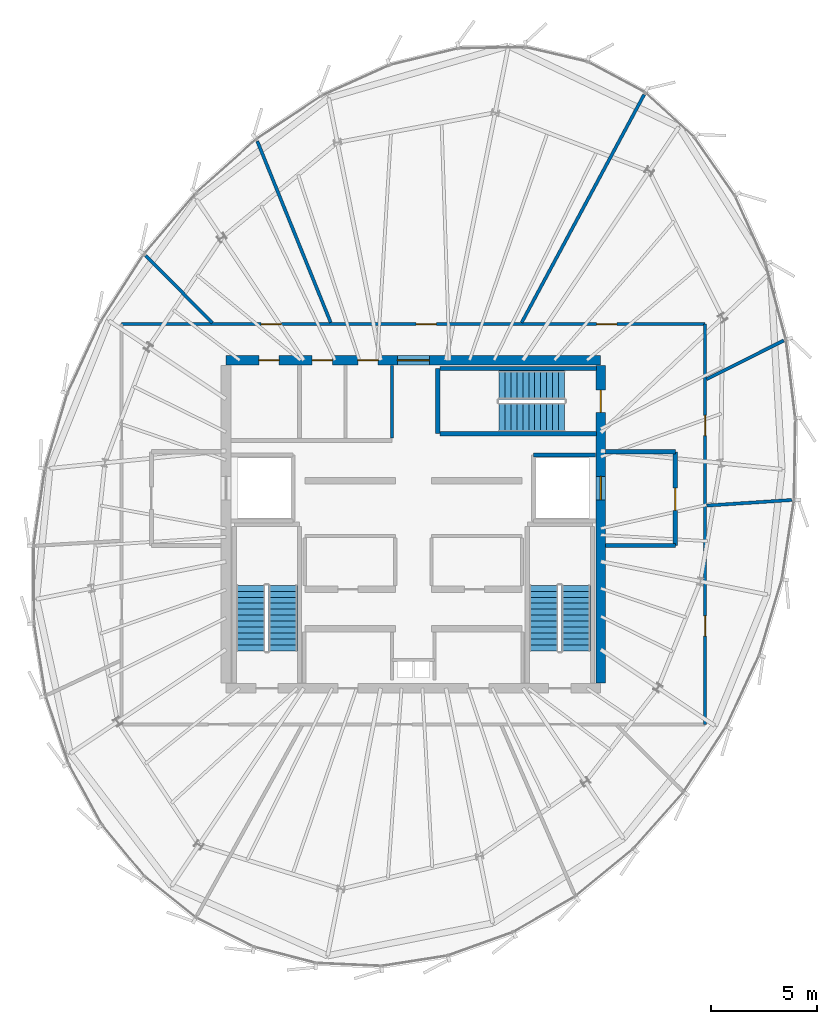
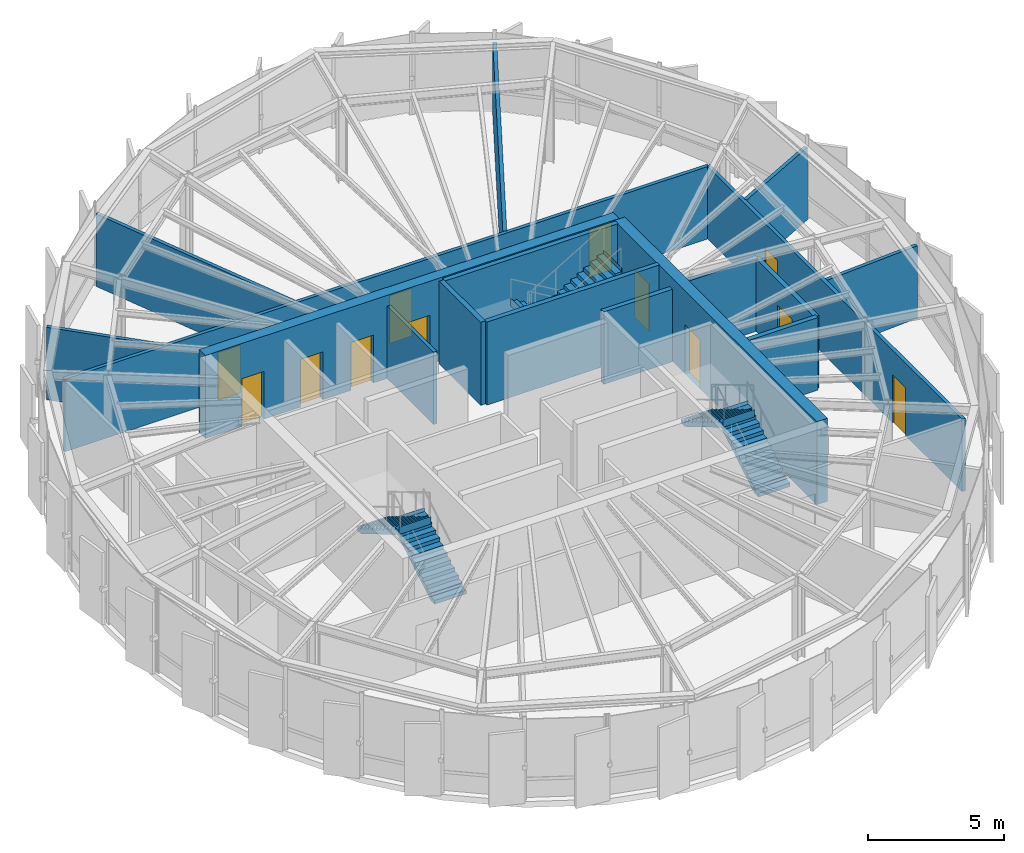
# One storey, part 23 of 27: 17 walls, 12 doors, 6 stair flights, 12 openings, 3 elements without a shape of their own.
"""IFC4 building model written with IfcOpenShell, lengths in metres."""

from ifc_helpers import new_model, si_unit, direction, frame, frame_2d, origin, place, context, subcontext, project, spatial, polyline, rectangle, outline, extrude, source, transform, mapped, material, layer, layer_set, type_object, element, fill, aggregate, save


model = new_model("IFC4")

# Units and contexts
model_context = context("Model", 3, precision=1e-05, world=origin(), true_north=direction((0.0, 1.0)))
body_context = subcontext(model_context, "Body", "Model", "MODEL_VIEW")
ifc_project = project(units=[si_unit("LENGTHUNIT", "METRE"), si_unit("AREAUNIT", "SQUARE_METRE"), si_unit("VOLUMEUNIT", "CUBIC_METRE"), si_unit("PLANEANGLEUNIT", "RADIAN"), si_unit("MASSUNIT", "GRAM", prefix="KILO"), si_unit("THERMODYNAMICTEMPERATUREUNIT", "KELVIN")], contexts=[model_context])

# Site, building, storey
site_placement = place(None, origin())
site = spatial("IfcSite", under=ifc_project, at=site_placement, CompositionType="ELEMENT")
building_placement = place(site_placement, origin())
building = spatial("IfcBuilding", under=site, at=building_placement, Name="Kethvar Cultural Tower", CompositionType="ELEMENT")
storey_placement = place(building_placement, frame((0.0, 0.0, 312.300048828125)))
storey = spatial("IfcBuildingStorey", under=building, at=storey_placement, Name="L83", CompositionType="ELEMENT", Elevation=312.300048828125)

# Wall, openings, doors
ifc_material_1 = material(Name="Concrete C50/60", Category="concrete")
ifc_layer_1 = layer(ifc_material_1, 0.449951171875, Name="Concrete C50/60", Category="concrete")
ifc_layer_set_1 = layer_set([ifc_layer_1], Name="Concrete C50/60 (450 mm)")
wall_type_1 = type_object("IfcWallType", Name="WL-CORE-450", PredefinedType="SHEAR", material=ifc_layer_set_1)
wall_1_placement = place(storey_placement, frame((55.60009765625, 35.5, 0.0), z_axis=(0.0, 0.0, 1.0), x_axis=(-1.0, 0.0, 0.0)))
wall_1 = element("IfcWall", 1, at=wall_1_placement, inside=storey, type_object=wall_type_1, Name="L83 Core Shear Wall N", PredefinedType="SHEAR", context=body_context, shape_type="SweptSolid", body=[
    extrude(rectangle(XDim=17.60009765625, YDim=0.449951171875, at=frame_2d((8.800048828125, 0.0))), origin(), (0.0, 0.0, 1.0), 3.73486328125),
])
opening_1_placement = place(wall_1_placement, frame((8.050048828125, 0.0, 0.0)))
opening_1 = element("IfcOpeningElement", 2, at=opening_1_placement, cuts=wall_1, Name="Opening D-L83-LN", PredefinedType="OPENING", context=body_context, shape_type="SweptSolid", body=[
    extrude(rectangle(XDim=1.5, YDim=2.199951171875, at=frame_2d((0.75, 1.10009765625))), frame((0.0, 0.23486328125, 0.0), z_axis=(0.0, -1.0, 0.0), x_axis=(1.0, 0.0, 0.0)), (0.0, 0.0, 1.0), 0.469970703125),
])
opening_2_placement = place(wall_1_placement, frame((15.10009765625, 0.0, 0.0)))
opening_2 = element("IfcOpeningElement", 3, at=opening_2_placement, cuts=wall_1, Name="Opening D-L83-E1", PredefinedType="OPENING", context=body_context, shape_type="SweptSolid", body=[
    extrude(rectangle(XDim=0.949951171875, YDim=2.14990234375, at=frame_2d((0.47509765625, 1.074951171875))), frame((0.0, 0.23486328125, 0.0), z_axis=(0.0, -1.0, 0.0), x_axis=(1.0, 0.0, 0.0)), (0.0, 0.0, 1.0), 0.469970703125),
])
opening_3_placement = place(wall_1_placement, frame((12.60009765625, 0.0, 0.0)))
opening_3 = element("IfcOpeningElement", 4, at=opening_3_placement, cuts=wall_1, Name="Opening D-L83-W1", PredefinedType="OPENING", context=body_context, shape_type="SweptSolid", body=[
    extrude(rectangle(XDim=0.949951171875, YDim=2.14990234375, at=frame_2d((0.47509765625, 1.074951171875))), frame((0.0, 0.23486328125, 0.0), z_axis=(0.0, -1.0, 0.0), x_axis=(1.0, 0.0, 0.0)), (0.0, 0.0, 1.0), 0.469970703125),
])
opening_4_placement = place(wall_1_placement, frame((10.449951171875, 0.0, 0.0)))
opening_4 = element("IfcOpeningElement", 5, at=opening_4_placement, cuts=wall_1, Name="Opening D-L83-W2", PredefinedType="OPENING", context=body_context, shape_type="SweptSolid", body=[
    extrude(rectangle(XDim=0.949951171875, YDim=2.14990234375, at=frame_2d((0.47509765625, 1.074951171875))), frame((0.0, 0.23486328125, 0.0), z_axis=(0.0, -1.0, 0.0), x_axis=(1.0, 0.0, 0.0)), (0.0, 0.0, 1.0), 0.469970703125),
])
ifc_material_2 = material(Name="Architectural Oak Timber", Category="wood")
door_type_1 = type_object("IfcDoorType", Name="DR-DBL-FD60-1500", OperationType="DOUBLE_DOOR_SINGLE_SWING", PredefinedType="DOOR", material=ifc_material_2)
shared_shape_1 = source(origin(), body_context, "Body", "SweptSolid", [
    extrude(rectangle(XDim=1.5, YDim=2.199951171875, at=frame_2d((0.75, 1.10009765625))), frame((0.0, 0.02490234375, 0.0), z_axis=(0.0, -1.0, 0.0), x_axis=(1.0, 0.0, 0.0)), (0.0, 0.0, 1.0), 0.050048828125),
])
door_1_placement = place(opening_1_placement, origin())
door_1 = element("IfcDoor", 6, at=door_1_placement, inside=storey, type_object=door_type_1, Name="L83 Lift Lobby Concourse Door", OperationType="DOUBLE_DOOR_SINGLE_SWING", OverallHeight=2.199951171875, OverallWidth=1.5, PredefinedType="DOOR", context=body_context, shape_type="MappedRepresentation", body=[
    mapped(shared_shape_1, transform((0.0, 0.0, 0.0), scale=1.0)),
])
fill(opening_1, door_1)
door_type_2 = type_object("IfcDoorType", Name="DR-FD30-950", OperationType="NOTDEFINED", PredefinedType="DOOR", material=ifc_material_2)
shared_shape_2 = source(origin(), body_context, "Body", "SweptSolid", [
    extrude(rectangle(XDim=0.949951171875, YDim=2.14990234375, at=frame_2d((0.47509765625, 1.074951171875))), frame((0.0, 0.02490234375, 0.0), z_axis=(0.0, -1.0, 0.0), x_axis=(1.0, 0.0, 0.0)), (0.0, 0.0, 1.0), 0.050048828125),
])
door_2_placement = place(opening_2_placement, origin())
door_2 = element("IfcDoor", 7, at=door_2_placement, inside=storey, type_object=door_type_2, Name="L83 Electrical Switchgear Door", OperationType="SINGLE_SWING_RIGHT", OverallHeight=2.14990234375, OverallWidth=0.949951171875, PredefinedType="DOOR", context=body_context, shape_type="MappedRepresentation", body=[
    mapped(shared_shape_2, transform((0.0, 0.0, 0.0), scale=1.0)),
])
fill(opening_2, door_2)
door_3_placement = place(opening_3_placement, origin())
door_3 = element("IfcDoor", 8, at=door_3_placement, inside=storey, type_object=door_type_2, Name="L83 Accessible Washroom Door", OperationType="SINGLE_SWING_LEFT", OverallHeight=2.14990234375, OverallWidth=0.949951171875, PredefinedType="DOOR", context=body_context, shape_type="MappedRepresentation", body=[
    mapped(shared_shape_2, transform((0.0, 0.0, 0.0), scale=1.0)),
])
fill(opening_3, door_3)
door_4_placement = place(opening_4_placement, origin())
door_4 = element("IfcDoor", 9, at=door_4_placement, inside=storey, type_object=door_type_2, Name="L83 Public Washroom Door", OperationType="SINGLE_SWING_RIGHT", OverallHeight=2.14990234375, OverallWidth=0.949951171875, PredefinedType="DOOR", context=body_context, shape_type="MappedRepresentation", body=[
    mapped(shared_shape_2, transform((0.0, 0.0, 0.0), scale=1.0)),
])
fill(opening_4, door_4)

wall_2_placement = place(storey_placement, frame((55.60009765625, 20.340087890625, 0.0), z_axis=(0.0, 0.0, 1.0), x_axis=(0.0, 1.0, 0.0)))
wall_2 = element("IfcWall", 10, at=wall_2_placement, inside=storey, type_object=wall_type_1, Name="L83 Core Shear Wall E", PredefinedType="SHEAR", context=body_context, shape_type="SweptSolid", body=[
    extrude(rectangle(XDim=14.919921875, YDim=0.449951171875, at=frame_2d((7.4599609375, 0.0))), origin(), (0.0, 0.0, 1.0), 3.73486328125),
])
opening_5_placement = place(wall_2_placement, frame((12.7099609375, 0.0, 0.0)))
opening_5 = element("IfcOpeningElement", 11, at=opening_5_placement, cuts=wall_2, Name="Opening D-L83-S3", PredefinedType="OPENING", context=body_context, shape_type="SweptSolid", body=[
    extrude(rectangle(XDim=1.050048828125, YDim=2.14990234375, at=frame_2d((0.52490234375, 1.074951171875))), frame((0.0, 0.23486328125, 0.0), z_axis=(0.0, -1.0, 0.0), x_axis=(1.0, 0.0, 0.0)), (0.0, 0.0, 1.0), 0.469970703125),
])
opening_6_placement = place(wall_2_placement, frame((8.610107421875, 0.0, 0.0)))
opening_6 = element("IfcOpeningElement", 12, at=opening_6_placement, cuts=wall_2, Name="Opening LD-2", PredefinedType="OPENING", context=body_context, shape_type="SweptSolid", body=[
    extrude(rectangle(XDim=1.10009765625, YDim=2.199951171875, at=frame_2d((0.550048828125, 1.10009765625))), frame((0.0, 0.23486328125, 0.0), z_axis=(0.0, -1.0, 0.0), x_axis=(1.0, 0.0, 0.0)), (0.0, 0.0, 1.0), 0.469970703125),
])
ifc_material_3 = material(Name="Steel S355J2", Category="steel")
door_type_3 = type_object("IfcDoorType", Name="DR-FD60-1050", OperationType="NOTDEFINED", PredefinedType="DOOR", material=ifc_material_3)
shared_shape_3 = source(origin(), body_context, "Body", "SweptSolid", [
    extrude(rectangle(XDim=1.050048828125, YDim=2.14990234375, at=frame_2d((0.52490234375, 1.074951171875))), frame((0.0, 0.02490234375, 0.0), z_axis=(0.0, -1.0, 0.0), x_axis=(1.0, 0.0, 0.0)), (0.0, 0.0, 1.0), 0.050048828125),
])
door_5_placement = place(opening_5_placement, origin())
door_5 = element("IfcDoor", 13, at=door_5_placement, inside=storey, type_object=door_type_3, Name="L83 Exit Stair 3 Door", OperationType="SINGLE_SWING_LEFT", OverallHeight=2.14990234375, OverallWidth=1.050048828125, PredefinedType="DOOR", context=body_context, shape_type="MappedRepresentation", body=[
    mapped(shared_shape_3, transform((0.0, 0.0, 0.0), scale=1.0)),
])
fill(opening_5, door_5)
door_type_4 = type_object("IfcDoorType", Name="DR-LIFT-SLIDE-1100", OperationType="NOTDEFINED", PredefinedType="DOOR", material=ifc_material_3)
shared_shape_4 = source(origin(), body_context, "Body", "SweptSolid", [
    extrude(rectangle(XDim=1.10009765625, YDim=2.199951171875, at=frame_2d((0.550048828125, 1.10009765625))), frame((0.0, 0.02490234375, 0.0), z_axis=(0.0, -1.0, 0.0), x_axis=(1.0, 0.0, 0.0)), (0.0, 0.0, 1.0), 0.050048828125),
])
door_6_placement = place(opening_6_placement, origin())
door_6 = element("IfcDoor", 14, at=door_6_placement, inside=storey, type_object=door_type_4, Name="L83 Firefighting Lift Landing Door FFL-02", OperationType="SLIDING_TO_RIGHT", OverallHeight=2.199951171875, OverallWidth=1.10009765625, PredefinedType="DOOR", context=body_context, shape_type="MappedRepresentation", body=[
    mapped(shared_shape_4, transform((0.0, 0.0, 0.0), scale=1.0)),
])
fill(opening_6, door_6)

# Wall
ifc_material_4 = material(Name="Gypsum Fireboard Partition")
ifc_layer_2 = layer(ifc_material_4, 0.14990234375, Name="Gypsum Fireboard Partition")
ifc_layer_set_2 = layer_set([ifc_layer_2], Name="Gypsum Fireboard Partition (150 mm)")
wall_type_2 = type_object("IfcWallType", Name="WL-FIRE-150", PredefinedType="PARTITIONING", material=ifc_layer_set_2)
wall_3_placement = place(storey_placement, frame((45.800048828125, 31.85009765625, 0.0), z_axis=(0.0, 0.0, 1.0), x_axis=(0.0, 1.0, 0.0)))
element("IfcWall", 15, at=wall_3_placement, inside=storey, type_object=wall_type_2, Name="L83 Sanitary Spine Wall", PredefinedType="PARTITIONING", context=body_context, shape_type="SweptSolid", body=[
    extrude(rectangle(XDim=3.414794921875, YDim=0.14990234375, at=frame_2d((1.70751953125, 0.0))), origin(), (0.0, 0.0, 1.0), 3.260009765625),
])

# Wall, openings, doors
wall_4_placement = place(storey_placement, frame((60.5, 18.39990234375, 0.0), z_axis=(0.0, 0.0, 1.0), x_axis=(0.0, 1.0, 0.0)))
wall_4 = element("IfcWall", 16, at=wall_4_placement, inside=storey, type_object=wall_type_2, Name="L83 Corridor Rated Wall E", PredefinedType="PARTITIONING", context=body_context, shape_type="SweptSolid", body=[
    extrude(rectangle(XDim=18.800048828125, YDim=0.14990234375, at=frame_2d((9.39990234375, 0.0))), origin(), (0.0, 0.0, 1.0), 3.260009765625),
])
opening_7_placement = place(wall_4_placement, frame((4.15087890625, 0.0, 0.0)))
opening_7 = element("IfcOpeningElement", 17, at=opening_7_placement, cuts=wall_4, Name="Opening D-L83-05", PredefinedType="OPENING", context=body_context, shape_type="SweptSolid", body=[
    extrude(rectangle(XDim=0.949951171875, YDim=2.14990234375, at=frame_2d((0.47509765625, 1.074951171875))), frame((0.0, 0.0849609375, 0.0), z_axis=(0.0, -1.0, 0.0), x_axis=(1.0, 0.0, 0.0)), (0.0, 0.0, 1.0), 0.169921875),
])
opening_8_placement = place(wall_4_placement, frame((13.56494140625, 0.0, 0.0)))
opening_8 = element("IfcOpeningElement", 18, at=opening_8_placement, cuts=wall_4, Name="Opening D-L83-06", PredefinedType="OPENING", context=body_context, shape_type="SweptSolid", body=[
    extrude(rectangle(XDim=0.949951171875, YDim=2.14990234375, at=frame_2d((0.47509765625, 1.074951171875))), frame((0.0, 0.0849609375, 0.0), z_axis=(0.0, -1.0, 0.0), x_axis=(1.0, 0.0, 0.0)), (0.0, 0.0, 1.0), 0.169921875),
])
door_7_placement = place(opening_7_placement, origin())
door_7 = element("IfcDoor", 19, at=door_7_placement, inside=storey, type_object=door_type_2, Name="L83 Fire Reserve Tank Plant Room 05 Door", OperationType="SINGLE_SWING_RIGHT", OverallHeight=2.14990234375, OverallWidth=0.949951171875, PredefinedType="DOOR", context=body_context, shape_type="MappedRepresentation", body=[
    mapped(shared_shape_2, transform((0.0, 0.0, 0.0), scale=1.0)),
])
fill(opening_7, door_7)
door_8_placement = place(opening_8_placement, origin())
door_8 = element("IfcDoor", 20, at=door_8_placement, inside=storey, type_object=door_type_2, Name="L83 Facade BMU Mechanical Plant Room 06 Door", OperationType="SINGLE_SWING_LEFT", OverallHeight=2.14990234375, OverallWidth=0.949951171875, PredefinedType="DOOR", context=body_context, shape_type="MappedRepresentation", body=[
    mapped(shared_shape_2, transform((0.0, 0.0, 0.0), scale=1.0)),
])
fill(opening_8, door_8)

wall_5_placement = place(storey_placement, frame((60.5, 37.199951171875, 0.0), z_axis=(0.0, 0.0, 1.0), x_axis=(-1.0, 0.0, 0.0)))
wall_5 = element("IfcWall", 21, at=wall_5_placement, inside=storey, type_object=wall_type_2, Name="L83 Corridor Rated Wall N", PredefinedType="PARTITIONING", context=body_context, shape_type="SweptSolid", body=[
    extrude(rectangle(XDim=27.39990234375, YDim=0.14990234375, at=frame_2d((13.699951171875, 0.0))), origin(), (0.0, 0.0, 1.0), 3.260009765625),
])
opening_9_placement = place(wall_5_placement, frame((4.140380859375, 0.0, 0.0)))
opening_9 = element("IfcOpeningElement", 22, at=opening_9_placement, cuts=wall_5, Name="Opening D-L83-07", PredefinedType="OPENING", context=body_context, shape_type="SweptSolid", body=[
    extrude(rectangle(XDim=0.949951171875, YDim=2.14990234375, at=frame_2d((0.47509765625, 1.074951171875))), frame((0.0, 0.0849609375, 0.0), z_axis=(0.0, -1.0, 0.0), x_axis=(1.0, 0.0, 0.0)), (0.0, 0.0, 1.0), 0.169921875),
])
opening_10_placement = place(wall_5_placement, frame((12.61865234375, 0.0, 0.0)))
opening_10 = element("IfcOpeningElement", 23, at=opening_10_placement, cuts=wall_5, Name="Opening D-L83-08", PredefinedType="OPENING", context=body_context, shape_type="SweptSolid", body=[
    extrude(rectangle(XDim=0.949951171875, YDim=2.14990234375, at=frame_2d((0.47509765625, 1.074951171875))), frame((0.0, 0.0849609375, 0.0), z_axis=(0.0, -1.0, 0.0), x_axis=(1.0, 0.0, 0.0)), (0.0, 0.0, 1.0), 0.169921875),
])
opening_11_placement = place(wall_5_placement, frame((19.902587890625, 0.0, 0.0)))
opening_11 = element("IfcOpeningElement", 24, at=opening_11_placement, cuts=wall_5, Name="Opening D-L83-09", PredefinedType="OPENING", context=body_context, shape_type="SweptSolid", body=[
    extrude(rectangle(XDim=0.949951171875, YDim=2.14990234375, at=frame_2d((0.47509765625, 1.074951171875))), frame((0.0, 0.0849609375, 0.0), z_axis=(0.0, -1.0, 0.0), x_axis=(1.0, 0.0, 0.0)), (0.0, 0.0, 1.0), 0.169921875),
])
door_9_placement = place(opening_9_placement, origin())
door_9 = element("IfcDoor", 25, at=door_9_placement, inside=storey, type_object=door_type_2, Name="L83 Cooling Tower Pump Plant Room 07 Door", OperationType="SINGLE_SWING_RIGHT", OverallHeight=2.14990234375, OverallWidth=0.949951171875, PredefinedType="DOOR", context=body_context, shape_type="MappedRepresentation", body=[
    mapped(shared_shape_2, transform((0.0, 0.0, 0.0), scale=1.0)),
])
fill(opening_9, door_9)
door_10_placement = place(opening_10_placement, origin())
door_10 = element("IfcDoor", 26, at=door_10_placement, inside=storey, type_object=door_type_2, Name="L83 Emergency UPS Plant Room 08 Door", OperationType="SINGLE_SWING_LEFT", OverallHeight=2.14990234375, OverallWidth=0.949951171875, PredefinedType="DOOR", context=body_context, shape_type="MappedRepresentation", body=[
    mapped(shared_shape_2, transform((0.0, 0.0, 0.0), scale=1.0)),
])
fill(opening_10, door_10)
door_11_placement = place(opening_11_placement, origin())
door_11 = element("IfcDoor", 27, at=door_11_placement, inside=storey, type_object=door_type_2, Name="L83 Smoke Extract Mechanical Plant Room 09 Door", OperationType="SINGLE_SWING_RIGHT", OverallHeight=2.14990234375, OverallWidth=0.949951171875, PredefinedType="DOOR", context=body_context, shape_type="MappedRepresentation", body=[
    mapped(shared_shape_2, transform((0.0, 0.0, 0.0), scale=1.0)),
])
fill(opening_11, door_11)

# Walls
wall_6_placement = place(storey_placement, frame((60.579833984375, 28.67626953125, 0.0), z_axis=(0.0, 0.0, 1.0), x_axis=(0.99783671246, 0.0657411231, 0.0)))
element("IfcWall", 28, at=wall_6_placement, inside=storey, type_object=wall_type_2, Name="L83 Radial Partition Wall 06", PredefinedType="PARTITIONING", context=body_context, shape_type="SweptSolid", body=[
    extrude(rectangle(XDim=3.99951171875, YDim=0.14990234375, at=frame_2d((1.999755859375, 0.0))), origin(), (0.0, 0.0, 1.0), 3.260009765625),
])
wall_7_placement = place(storey_placement, frame((60.571533203125, 34.612060546875, 0.0), z_axis=(0.0, 0.0, 1.0), x_axis=(0.893885115106, 0.448296108606, 0.0)))
element("IfcWall", 29, at=wall_7_placement, inside=storey, type_object=wall_type_2, Name="L83 Radial Partition Wall 07", PredefinedType="PARTITIONING", context=body_context, shape_type="SweptSolid", body=[
    extrude(rectangle(XDim=4.058349609375, YDim=0.14990234375, at=frame_2d((2.029296875, 0.0))), origin(), (0.0, 0.0, 1.0), 3.260009765625),
])
wall_8_placement = place(storey_placement, frame((51.88720703125, 37.2705078125, 0.0), z_axis=(0.0, 0.0, 1.0), x_axis=(0.473223934603, 0.880942170474, 0.0)))
element("IfcWall", 30, at=wall_8_placement, inside=storey, type_object=wall_type_2, Name="L83 Radial Partition Wall 08", PredefinedType="PARTITIONING", context=body_context, shape_type="SweptSolid", body=[
    extrude(rectangle(XDim=12.15380859375, YDim=0.14990234375, at=frame_2d((6.076904296875, 0.0))), origin(), (0.0, 0.0, 1.0), 3.260009765625),
])
wall_9_placement = place(storey_placement, frame((42.918212890625, 37.274169921875, 0.0), z_axis=(0.0, 0.0, 1.0), x_axis=(-0.375226458989, 0.926933171526, 0.0)))
element("IfcWall", 31, at=wall_9_placement, inside=storey, type_object=wall_type_2, Name="L83 Radial Partition Wall 09", PredefinedType="PARTITIONING", context=body_context, shape_type="SweptSolid", body=[
    extrude(rectangle(XDim=9.1884765625, YDim=0.14990234375, at=frame_2d((4.59423828125, 0.0))), origin(), (0.0, 0.0, 1.0), 3.260009765625),
])
wall_10_placement = place(storey_placement, frame((37.356201171875, 37.2568359375, 0.0), z_axis=(0.0, 0.0, 1.0), x_axis=(-0.702698856126, 0.711487398061, 0.0)))
element("IfcWall", 32, at=wall_10_placement, inside=storey, type_object=wall_type_2, Name="L83 Radial Partition Wall 10", PredefinedType="PARTITIONING", context=body_context, shape_type="SweptSolid", body=[
    extrude(rectangle(XDim=4.44482421875, YDim=0.14990234375, at=frame_2d((2.222412109375, 0.0))), origin(), (0.0, 0.0, 1.0), 3.260009765625),
])
ifc_material_5 = material(Name="Concrete C40/50", Category="concrete")
ifc_layer_3 = layer(ifc_material_5, 0.199951171875, Name="Concrete C40/50", Category="concrete")
ifc_layer_set_3 = layer_set([ifc_layer_3], Name="Concrete C40/50 (200 mm)")
wall_type_3 = type_object("IfcWallType", Name="WL-FIRE-200", PredefinedType="PARTITIONING", material=ifc_layer_set_3)
wall_11_placement = place(storey_placement, frame((52.449951171875, 31.050048828125, 0.0), z_axis=(0.0, 0.0, 1.0), x_axis=(1.0, 0.0, 0.0)))
element("IfcWall", 33, at=wall_11_placement, inside=storey, type_object=wall_type_3, Name="L83 FFL-02 Shaft North Wall", PredefinedType="PARTITIONING", context=body_context, shape_type="SweptSolid", body=[
    extrude(rectangle(XDim=2.9150390625, YDim=0.199951171875, at=frame_2d((1.45751953125, 0.0))), origin(), (0.0, 0.0, 1.0), 3.260009765625),
])

# Wall, opening, door
wall_12_placement = place(storey_placement, frame((59.10009765625, 26.800048828125, 0.0), z_axis=(0.0, 0.0, 1.0), x_axis=(0.0, 1.0, 0.0)))
wall_12 = element("IfcWall", 34, at=wall_12_placement, inside=storey, type_object=wall_type_3, Name="L83 Firefighting Lobby 2 Wall", PredefinedType="PARTITIONING", context=body_context, shape_type="SweptSolid", body=[
    extrude(rectangle(XDim=4.39990234375, YDim=0.199951171875, at=frame_2d((2.199951171875, 0.0))), origin(), (0.0, 0.0, 1.0), 3.260009765625),
])
opening_12_placement = place(wall_12_placement, frame((1.64990234375, 0.0, 0.0)))
opening_12 = element("IfcOpeningElement", 35, at=opening_12_placement, cuts=wall_12, Name="Opening D-L83-F2", PredefinedType="OPENING", context=body_context, shape_type="SweptSolid", body=[
    extrude(rectangle(XDim=1.050048828125, YDim=2.14990234375, at=frame_2d((0.52490234375, 1.074951171875))), frame((0.0, 0.10986328125, 0.0), z_axis=(0.0, -1.0, 0.0), x_axis=(1.0, 0.0, 0.0)), (0.0, 0.0, 1.0), 0.219970703125),
])
door_12_placement = place(opening_12_placement, origin())
door_12 = element("IfcDoor", 36, at=door_12_placement, inside=storey, type_object=door_type_3, Name="L83 Firefighting Lobby 2 Fire Door", OperationType="SINGLE_SWING_LEFT", OverallHeight=2.14990234375, OverallWidth=1.050048828125, PredefinedType="DOOR", context=body_context, shape_type="MappedRepresentation", body=[
    mapped(shared_shape_3, transform((0.0, 0.0, 0.0), scale=1.0)),
])
fill(opening_12, door_12)

# Walls
for number, where, z_axis, x_axis, name in (
    (37, (55.8349609375, 26.800048828125, 0.0), (0.0, 0.0, 1.0), (1.0, 0.0, 0.0), "L83 FF Lobby 2 South Wall"),
    (38, (55.8349609375, 31.199951171875, 0.0), (0.0, 0.0, 1.0), (1.0, 0.0, 0.0), "L83 FF Lobby 2 North Wall"),
):
    element("IfcWall", number, at=place(storey_placement, frame(where, z_axis=z_axis, x_axis=x_axis)), inside=storey, type_object=wall_type_3, Name=name, PredefinedType="PARTITIONING", context=body_context, shape_type="SweptSolid", body=[
        extrude(rectangle(XDim=3.26513671875, YDim=0.199951171875, at=frame_2d((1.632568359375, 0.0))), origin(), (0.0, 0.0, 1.0), 3.260009765625),
    ])
ifc_layer_4 = layer(ifc_material_1, 0.199951171875, Name="Concrete C50/60", Category="concrete")
ifc_layer_set_4 = layer_set([ifc_layer_4], Name="Concrete C50/60 (200 mm)")
wall_type_4 = type_object("IfcWallType", Name="WL-STSHAFT-200", PredefinedType="SHEAR", material=ifc_layer_set_4)
wall_13_placement = place(storey_placement, frame((47.949951171875, 32.050048828125, 0.0), z_axis=(0.0, 0.0, 1.0), x_axis=(0.0, 1.0, 0.0)))
element("IfcWall", 39, at=wall_13_placement, inside=storey, type_object=wall_type_4, Name="L83 ST-03 Stair Shaft Wall FAR", PredefinedType="SHEAR", context=body_context, shape_type="SweptSolid", body=[
    extrude(rectangle(XDim=3.06005859375, YDim=0.199951171875, at=frame_2d((1.530029296875, 0.0))), origin(), (0.0, 0.0, 1.0), 3.73486328125),
])
for number, where, z_axis, x_axis, name in (
    (40, (48.050048828125, 35.110107421875, 0.0), (0.0, 0.0, 1.0), (1.0, 0.0, 0.0), "L83 ST-03 Stair Shaft Wall LEFT"),
    (41, (55.39990234375, 32.050048828125, 0.0), (0.0, 0.0, 1.0), (-1.0, 0.0, 0.0), "L83 ST-03 Stair Shaft Wall RIGHT"),
):
    element("IfcWall", number, at=place(storey_placement, frame(where, z_axis=z_axis, x_axis=x_axis)), inside=storey, type_object=wall_type_4, Name=name, PredefinedType="SHEAR", context=body_context, shape_type="SweptSolid", body=[
        extrude(rectangle(XDim=7.349853515625, YDim=0.199951171875, at=frame_2d((3.6748046875, 0.0))), origin(), (0.0, 0.0, 1.0), 3.73486328125),
    ])

# Stair, stair flights
stair_type = type_object("IfcStairType", Name="ST-DOGLEG-135", PredefinedType="HALF_TURN_STAIR", material=ifc_material_5)
stair_1_placement = place(storey_placement, origin())
stair_1 = element("IfcStair", 42, at=stair_1_placement, inside=storey, type_object=stair_type, Name="L83 Core Exit Stair 1", PredefinedType="HALF_TURN_STAIR")
stair_flight_type = type_object("IfcStairFlightType", Name="FL-STRAIGHT-135", PredefinedType="STRAIGHT", material=ifc_material_5)
stair_flight_1_placement = place(storey_placement, frame((40.675048828125, 21.85009765625, 0.0), z_axis=(0.0, 0.0, 1.0), x_axis=(0.0, 1.0, 0.0)))
stair_flight_1 = element("IfcStairFlight", 43, at=stair_flight_1_placement, type_object=stair_flight_type, Name="ST-01 flight 1", NumberOfRisers=12, NumberOfTreads=11, PredefinedType="STRAIGHT", RiserHeight=0.166666667, TreadLength=0.28, context=body_context, shape_type="SweptSolid", body=[
    extrude(outline(polyline([(-0.0009765625, -0.0009765625), (-0.0009765625, 0.166748046875), (0.280029296875, 0.166748046875), (0.280029296875, 0.333251953125), (0.56005859375, 0.333251953125), (0.56005859375, 0.5), (0.840087890625, 0.5), (0.840087890625, 0.666748046875), (1.1201171875, 0.666748046875), (1.1201171875, 0.833251953125), (1.39990234375, 0.833251953125), (1.39990234375, 1.0), (1.679931640625, 1.0), (1.679931640625, 1.166748046875), (1.9599609375, 1.166748046875), (1.9599609375, 1.333251953125), (2.239990234375, 1.333251953125), (2.239990234375, 1.5), (2.52001953125, 1.5), (2.52001953125, 1.666748046875), (2.800048828125, 1.666748046875), (2.800048828125, 1.833251953125), (3.080078125, 1.833251953125), (3.080078125, 2.0), (3.0810546875, 2.0), (3.0810546875, 1.658935546875), (0.29296875, 0.0), (0.0, -0.0009765625), (-0.0009765625, -0.0009765625)])), frame((0.0, 0.675048828125, 0.0), z_axis=(0.0, -1.0, 0.0), x_axis=(1.0, 0.0, 0.0)), (0.0, 0.0, 1.0), 1.35009765625),
])
stair_flight_2_placement = place(storey_placement, frame((39.1650390625, 24.929931640625, 2.0), z_axis=(0.0, 0.0, 1.0), x_axis=(0.0, -1.0, 0.0)))
stair_flight_2 = element("IfcStairFlight", 44, at=stair_flight_2_placement, type_object=stair_flight_type, Name="ST-01 flight 2", NumberOfRisers=12, NumberOfTreads=11, PredefinedType="STRAIGHT", RiserHeight=0.166666667, TreadLength=0.28, context=body_context, shape_type="SweptSolid", body=[
    extrude(outline(polyline([(-0.0009765625, -0.0009765625), (-0.0009765625, 0.166748046875), (0.280029296875, 0.166748046875), (0.280029296875, 0.333251953125), (0.56005859375, 0.333251953125), (0.56005859375, 0.5), (0.840087890625, 0.5), (0.840087890625, 0.666748046875), (1.1201171875, 0.666748046875), (1.1201171875, 0.833251953125), (1.39990234375, 0.833251953125), (1.39990234375, 1.0), (1.679931640625, 1.0), (1.679931640625, 1.166748046875), (1.9599609375, 1.166748046875), (1.9599609375, 1.333251953125), (2.239990234375, 1.333251953125), (2.239990234375, 1.5), (2.52001953125, 1.5), (2.52001953125, 1.666748046875), (2.800048828125, 1.666748046875), (2.800048828125, 1.833251953125), (3.080078125, 1.833251953125), (3.080078125, 2.0), (3.0810546875, 2.0), (3.0810546875, 1.658935546875), (0.29296875, 0.0), (0.0, -0.0009765625), (-0.0009765625, -0.0009765625)])), frame((0.0, 0.675048828125, 0.0), z_axis=(0.0, -1.0, 0.0), x_axis=(1.0, 0.0, 0.0)), (0.0, 0.0, 1.0), 1.35009765625),
])
aggregate(stair_1, [stair_flight_1, stair_flight_2])

stair_2_placement = place(storey_placement, origin())
stair_2 = element("IfcStair", 45, at=stair_2_placement, inside=storey, type_object=stair_type, Name="L83 Core Exit Stair 2", PredefinedType="HALF_TURN_STAIR")
stair_flight_3_placement = place(storey_placement, frame((54.43505859375, 21.85009765625, 0.0), z_axis=(0.0, 0.0, 1.0), x_axis=(0.0, 1.0, 0.0)))
stair_flight_3 = element("IfcStairFlight", 46, at=stair_flight_3_placement, type_object=stair_flight_type, Name="ST-02 flight 1", NumberOfRisers=12, NumberOfTreads=11, PredefinedType="STRAIGHT", RiserHeight=0.166666667, TreadLength=0.28, context=body_context, shape_type="SweptSolid", body=[
    extrude(outline(polyline([(-0.0009765625, -0.0009765625), (-0.0009765625, 0.166748046875), (0.280029296875, 0.166748046875), (0.280029296875, 0.333251953125), (0.56005859375, 0.333251953125), (0.56005859375, 0.5), (0.840087890625, 0.5), (0.840087890625, 0.666748046875), (1.1201171875, 0.666748046875), (1.1201171875, 0.833251953125), (1.39990234375, 0.833251953125), (1.39990234375, 1.0), (1.679931640625, 1.0), (1.679931640625, 1.166748046875), (1.9599609375, 1.166748046875), (1.9599609375, 1.333251953125), (2.239990234375, 1.333251953125), (2.239990234375, 1.5), (2.52001953125, 1.5), (2.52001953125, 1.666748046875), (2.800048828125, 1.666748046875), (2.800048828125, 1.833251953125), (3.080078125, 1.833251953125), (3.080078125, 2.0), (3.0810546875, 2.0), (3.0810546875, 1.658935546875), (0.29296875, 0.0), (0.0, -0.0009765625), (-0.0009765625, -0.0009765625)])), frame((0.0, 0.675048828125, 0.0), z_axis=(0.0, -1.0, 0.0), x_axis=(1.0, 0.0, 0.0)), (0.0, 0.0, 1.0), 1.35009765625),
])
stair_flight_4_placement = place(storey_placement, frame((52.925048828125, 24.929931640625, 2.0), z_axis=(0.0, 0.0, 1.0), x_axis=(0.0, -1.0, 0.0)))
stair_flight_4 = element("IfcStairFlight", 47, at=stair_flight_4_placement, type_object=stair_flight_type, Name="ST-02 flight 2", NumberOfRisers=12, NumberOfTreads=11, PredefinedType="STRAIGHT", RiserHeight=0.166666667, TreadLength=0.28, context=body_context, shape_type="SweptSolid", body=[
    extrude(outline(polyline([(-0.0009765625, -0.0009765625), (-0.0009765625, 0.166748046875), (0.280029296875, 0.166748046875), (0.280029296875, 0.333251953125), (0.56005859375, 0.333251953125), (0.56005859375, 0.5), (0.840087890625, 0.5), (0.840087890625, 0.666748046875), (1.1201171875, 0.666748046875), (1.1201171875, 0.833251953125), (1.39990234375, 0.833251953125), (1.39990234375, 1.0), (1.679931640625, 1.0), (1.679931640625, 1.166748046875), (1.9599609375, 1.166748046875), (1.9599609375, 1.333251953125), (2.239990234375, 1.333251953125), (2.239990234375, 1.5), (2.52001953125, 1.5), (2.52001953125, 1.666748046875), (2.800048828125, 1.666748046875), (2.800048828125, 1.833251953125), (3.080078125, 1.833251953125), (3.080078125, 2.0), (3.0810546875, 2.0), (3.0810546875, 1.658935546875), (0.29296875, 0.0), (0.0, -0.0009765625), (-0.0009765625, -0.0009765625)])), frame((0.0, 0.675048828125, 0.0), z_axis=(0.0, -1.0, 0.0), x_axis=(1.0, 0.0, 0.0)), (0.0, 0.0, 1.0), 1.35009765625),
])
aggregate(stair_2, [stair_flight_3, stair_flight_4])

stair_3_placement = place(storey_placement, origin())
stair_3 = element("IfcStair", 48, at=stair_3_placement, inside=storey, type_object=stair_type, Name="L83 Core Exit Stair 3", PredefinedType="HALF_TURN_STAIR")
stair_flight_5_placement = place(storey_placement, frame((53.89990234375, 34.3349609375, 0.0), z_axis=(0.0, 0.0, 1.0), x_axis=(-1.0, 0.0, 0.0)))
stair_flight_5 = element("IfcStairFlight", 49, at=stair_flight_5_placement, type_object=stair_flight_type, Name="ST-03 flight 1", NumberOfRisers=12, NumberOfTreads=11, PredefinedType="STRAIGHT", RiserHeight=0.166666667, TreadLength=0.28, context=body_context, shape_type="SweptSolid", body=[
    extrude(outline(polyline([(-0.0009765625, -0.0009765625), (-0.0009765625, 0.166748046875), (0.280029296875, 0.166748046875), (0.280029296875, 0.333251953125), (0.56005859375, 0.333251953125), (0.56005859375, 0.5), (0.840087890625, 0.5), (0.840087890625, 0.666748046875), (1.1201171875, 0.666748046875), (1.1201171875, 0.833251953125), (1.39990234375, 0.833251953125), (1.39990234375, 1.0), (1.679931640625, 1.0), (1.679931640625, 1.166748046875), (1.9599609375, 1.166748046875), (1.9599609375, 1.333251953125), (2.239990234375, 1.333251953125), (2.239990234375, 1.5), (2.52001953125, 1.5), (2.52001953125, 1.666748046875), (2.800048828125, 1.666748046875), (2.800048828125, 1.833251953125), (3.080078125, 1.833251953125), (3.080078125, 2.0), (3.0810546875, 2.0), (3.0810546875, 1.658935546875), (0.29296875, 0.0), (0.0, -0.0009765625), (-0.0009765625, -0.0009765625)])), frame((0.0, 0.675048828125, 0.0), z_axis=(0.0, -1.0, 0.0), x_axis=(1.0, 0.0, 0.0)), (0.0, 0.0, 1.0), 1.35009765625),
])
stair_flight_6_placement = place(storey_placement, frame((50.820068359375, 32.824951171875, 2.0), z_axis=(0.0, 0.0, 1.0), x_axis=(1.0, 0.0, 0.0)))
stair_flight_6 = element("IfcStairFlight", 50, at=stair_flight_6_placement, type_object=stair_flight_type, Name="ST-03 flight 2", NumberOfRisers=12, NumberOfTreads=11, PredefinedType="STRAIGHT", RiserHeight=0.166666667, TreadLength=0.28, context=body_context, shape_type="SweptSolid", body=[
    extrude(outline(polyline([(-0.0009765625, -0.0009765625), (-0.0009765625, 0.166748046875), (0.280029296875, 0.166748046875), (0.280029296875, 0.333251953125), (0.56005859375, 0.333251953125), (0.56005859375, 0.5), (0.840087890625, 0.5), (0.840087890625, 0.666748046875), (1.1201171875, 0.666748046875), (1.1201171875, 0.833251953125), (1.39990234375, 0.833251953125), (1.39990234375, 1.0), (1.679931640625, 1.0), (1.679931640625, 1.166748046875), (1.9599609375, 1.166748046875), (1.9599609375, 1.333251953125), (2.239990234375, 1.333251953125), (2.239990234375, 1.5), (2.52001953125, 1.5), (2.52001953125, 1.666748046875), (2.800048828125, 1.666748046875), (2.800048828125, 1.833251953125), (3.080078125, 1.833251953125), (3.080078125, 2.0), (3.0810546875, 2.0), (3.0810546875, 1.658935546875), (0.29296875, 0.0), (0.0, -0.0009765625), (-0.0009765625, -0.0009765625)])), frame((0.0, 0.675048828125, 0.0), z_axis=(0.0, -1.0, 0.0), x_axis=(1.0, 0.0, 0.0)), (0.0, 0.0, 1.0), 1.35009765625),
])
aggregate(stair_3, [stair_flight_5, stair_flight_6])

save(model, "model.ifc")
